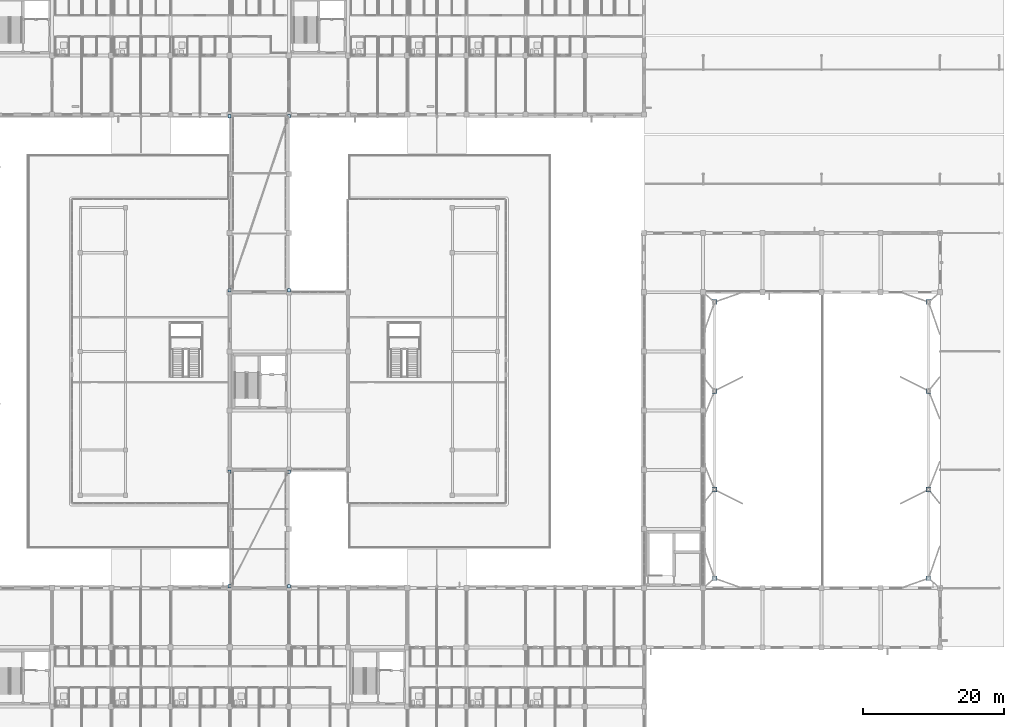
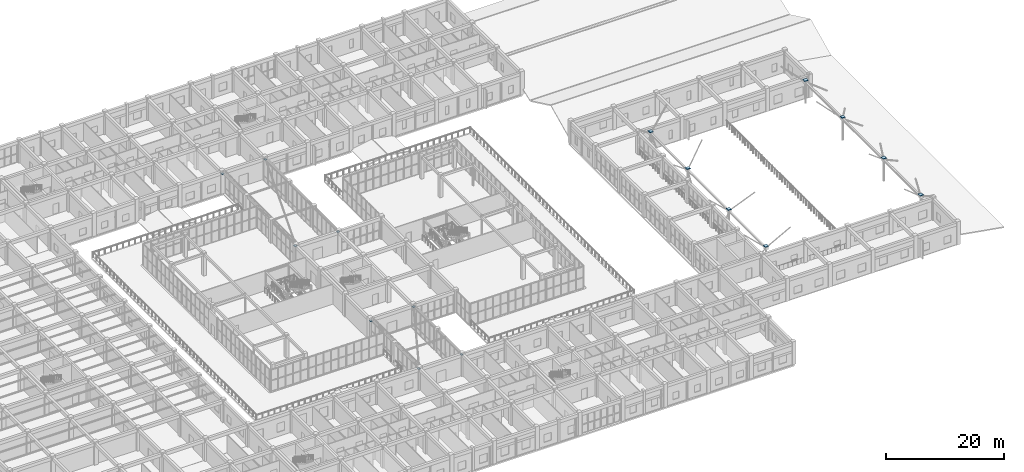
# One storey, part 113 of 158: 16 plates.
"""IFC4 building model written with IfcOpenShell, lengths in metres."""

from ifc_helpers import new_model, si_unit, direction, frame, origin, origin_2d, place, context, subcontext, project, spatial, rectangle, extrude, material, layer, layer_set, type_object, element, save


model = new_model("IFC4")

# Units and contexts
model_context = context("Model", 3, precision=1e-05, world=origin(), true_north=direction((0.0, 1.0)))
body_context = subcontext(model_context, "Body", "Model", "MODEL_VIEW")
ifc_project = project(units=[si_unit("LENGTHUNIT", "METRE"), si_unit("AREAUNIT", "SQUARE_METRE"), si_unit("VOLUMEUNIT", "CUBIC_METRE"), si_unit("PLANEANGLEUNIT", "RADIAN"), si_unit("MASSUNIT", "GRAM", prefix="KILO")], contexts=[model_context])

# Site, building, storey
site_placement = place(None, origin())
site = spatial("IfcSite", under=ifc_project, at=site_placement, CompositionType="ELEMENT")
building_placement = place(site_placement, origin())
building = spatial("IfcBuilding", under=site, at=building_placement, Name="Trelvath General Hospital", CompositionType="ELEMENT")
storey_placement = place(building_placement, frame((0.0, 0.0, 8.10009765625)))
storey = spatial("IfcBuildingStorey", under=building, at=storey_placement, Name="L02", CompositionType="ELEMENT", Elevation=8.10009765625)

# Plates
ifc_material_1 = material(Name="Steel S355", Category="steel")
ifc_layer_1 = layer(ifc_material_1, 0.013916015625)
ifc_layer_set_1 = layer_set([ifc_layer_1], Name="Steel S355")
plate_type_1 = type_object("IfcPlateType", Name="BearingPlate Steel14", PredefinedType="SHEET", material=ifc_layer_set_1)
for number, where, z_axis, x_axis, name in (
    (1, (144.39990234375, 26.60009765625, 4.7998046875), (0.0, 0.0, 1.0), (1.0, 0.0, 0.0), "Tree Column Cap Plate BP-T01"),
    (2, (144.39990234375, 39.199951171875, 4.7998046875), (0.0, 0.0, 1.0), (1.0, 0.0, 0.0), "Tree Column Cap Plate BP-T02"),
    (3, (144.39990234375, 53.199951171875, 4.7998046875), (0.0, 0.0, 1.0), (1.0, 0.0, 0.0), "Tree Column Cap Plate BP-T03"),
    (4, (144.39990234375, 65.800048828125, 4.7998046875), (0.0, 0.0, 1.0), (1.0, 0.0, 0.0), "Tree Column Cap Plate BP-T04"),
    (5, (174.800048828125, 26.60009765625, 4.7998046875), (0.0, 0.0, 1.0), (1.0, 0.0, 0.0), "Tree Column Cap Plate BP-T05"),
    (6, (174.800048828125, 39.199951171875, 4.7998046875), (0.0, 0.0, 1.0), (1.0, 0.0, 0.0), "Tree Column Cap Plate BP-T06"),
    (7, (174.800048828125, 53.199951171875, 4.7998046875), (0.0, 0.0, 1.0), (1.0, 0.0, 0.0), "Tree Column Cap Plate BP-T07"),
    (8, (174.800048828125, 65.800048828125, 4.7998046875), (0.0, 0.0, 1.0), (1.0, 0.0, 0.0), "Tree Column Cap Plate BP-T08"),
):
    element("IfcPlate", number, at=place(storey_placement, frame(where, z_axis=z_axis, x_axis=x_axis)), inside=storey, type_object=plate_type_1, Name=name, PredefinedType="SHEET", context=body_context, shape_type="SweptSolid", body=[
        extrude(rectangle(XDim=0.699951171875, YDim=0.699951171875, at=origin_2d()), origin(), (0.0, 0.0, 1.0), 0.013916015625),
    ])
ifc_material_2 = material(Name="Steel S355", Category="steel")
ifc_layer_2 = layer(ifc_material_2, 0.01611328125)
ifc_layer_set_2 = layer_set([ifc_layer_2], Name="Steel S355")
plate_type_2 = type_object("IfcPlateType", Name="BearingPlate Steel16", PredefinedType="SHEET", material=ifc_layer_set_2)
for number, where, z_axis, x_axis, name in (
    (9, (75.60009765625, 67.449951171875, 4.143798828125), (0.0, 0.0, 1.0), (1.0, 0.0, 0.0), "Bridge Sliding Seat Plate BRG-N-C W-S L03"),
    (10, (75.60009765625, 92.14990234375, 4.143798828125), (0.0, 0.0, 1.0), (1.0, 0.0, 0.0), "Bridge Sliding Seat Plate BRG-N-C W-N L03"),
    (11, (84.0, 67.449951171875, 4.143798828125), (0.0, 0.0, 1.0), (1.0, 0.0, 0.0), "Bridge Sliding Seat Plate BRG-N-C E-S L03"),
    (12, (84.0, 92.14990234375, 4.143798828125), (0.0, 0.0, 1.0), (1.0, 0.0, 0.0), "Bridge Sliding Seat Plate BRG-N-C E-N L03"),
    (13, (75.60009765625, 25.449951171875, 4.143798828125), (0.0, 0.0, 1.0), (1.0, 0.0, 0.0), "Bridge Sliding Seat Plate BRG-S-C W-S L03"),
    (14, (75.60009765625, 41.75, 4.143798828125), (0.0, 0.0, 1.0), (1.0, 0.0, 0.0), "Bridge Sliding Seat Plate BRG-S-C W-N L03"),
    (15, (84.0, 25.449951171875, 4.143798828125), (0.0, 0.0, 1.0), (1.0, 0.0, 0.0), "Bridge Sliding Seat Plate BRG-S-C E-S L03"),
    (16, (84.0, 41.75, 4.143798828125), (0.0, 0.0, 1.0), (1.0, 0.0, 0.0), "Bridge Sliding Seat Plate BRG-S-C E-N L03"),
):
    element("IfcPlate", number, at=place(storey_placement, frame(where, z_axis=z_axis, x_axis=x_axis)), inside=storey, type_object=plate_type_2, Name=name, PredefinedType="SHEET", context=body_context, shape_type="SweptSolid", body=[
        extrude(rectangle(XDim=0.419921875, YDim=0.5, at=origin_2d()), origin(), (0.0, 0.0, 1.0), 0.01611328125),
    ])

save(model, "model.ifc")
